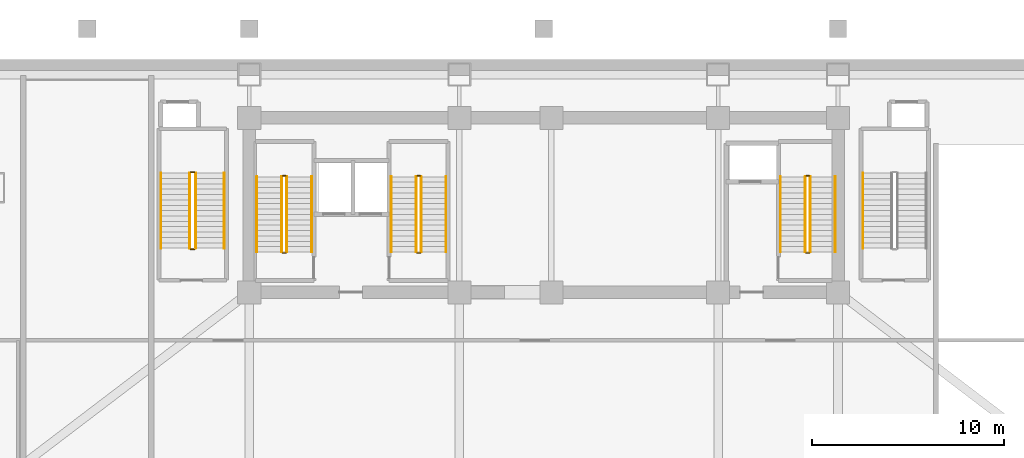
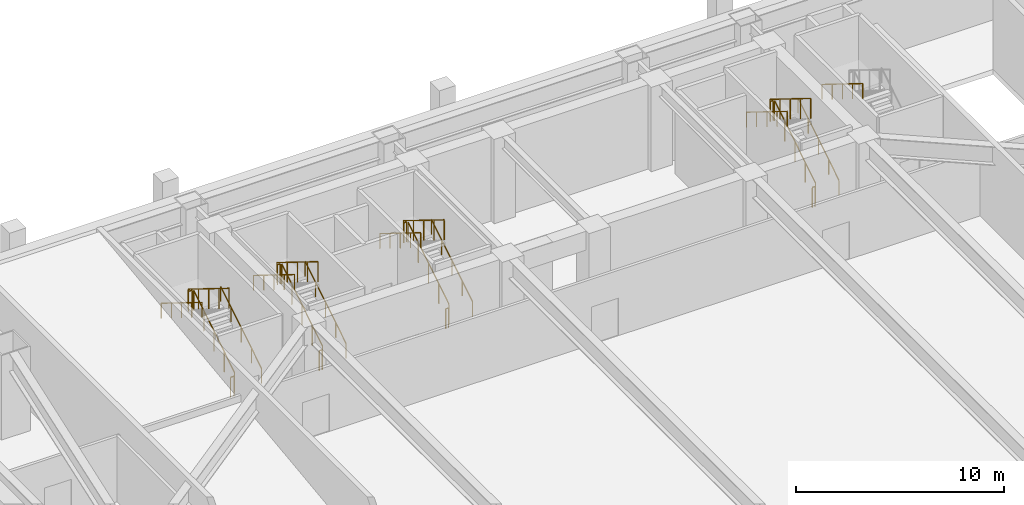
# One storey, part 5 of 6: 25 railings.
"""IFC4 building model written with IfcOpenShell, lengths in metres."""

from ifc_helpers import new_model, si_unit, direction, frame, origin, origin_2d, place, context, subcontext, project, spatial, rectangle, extrude, material, type_object, element, save


model = new_model("IFC4")

# Units and contexts
model_context = context("Model", 3, precision=1e-05, world=origin(), true_north=direction((0.0, 1.0)))
body_context = subcontext(model_context, "Body", "Model", "MODEL_VIEW")
ifc_project = project(units=[si_unit("LENGTHUNIT", "METRE"), si_unit("AREAUNIT", "SQUARE_METRE"), si_unit("VOLUMEUNIT", "CUBIC_METRE"), si_unit("PLANEANGLEUNIT", "RADIAN"), si_unit("MASSUNIT", "GRAM", prefix="KILO")], contexts=[model_context])

# Site, building, storey
site_placement = place(None, origin())
site = spatial("IfcSite", under=ifc_project, at=site_placement, CompositionType="ELEMENT")
building_placement = place(site_placement, origin())
building = spatial("IfcBuilding", under=site, at=building_placement, Name="Giltprow Tower", CompositionType="ELEMENT")
storey_placement = place(building_placement, frame((0.0, 0.0, -5.199951171875)))
storey = spatial("IfcBuildingStorey", under=building, at=storey_placement, Name="B01", CompositionType="ELEMENT", Elevation=-5.199951171875)

# Railings
ifc_material = material(Name="Anodized bronze", Category="metal")
railing_type_1 = type_object("IfcRailingType", Name="RAIL-STAIR-GUARD-1200", PredefinedType="GUARDRAIL", material=ifc_material)
railing_1_placement = place(storey_placement, frame((21.81005859375, 39.550048828125, 0.17333984375)))
element("IfcRailing", 1, at=railing_1_placement, inside=storey, type_object=railing_type_1, Name="B01 ST-1 stair guard 1", PredefinedType="GUARDRAIL", context=body_context, shape_type="SweptSolid", body=[
    extrude(rectangle(XDim=0.048095703125, YDim=0.048095703125, at=origin_2d()), frame((0.0, 0.0, 1.17578125), z_axis=(0.0, 0.850275303828, 0.526338206574), x_axis=(-1.0, 0.0, 0.0)), (0.0, 0.0, 1.0), 4.610107421875),
    extrude(rectangle(XDim=0.0419921875, YDim=0.0419921875, at=origin_2d()), origin(), (0.0, 0.0, 1.0), 1.15185546875),
    extrude(rectangle(XDim=0.0419921875, YDim=0.0419921875, at=origin_2d()), frame((0.0, 0.97998046875, 0.606689453125)), (0.0, 0.0, 1.0), 1.15185546875),
    extrude(rectangle(XDim=0.0419921875, YDim=0.0419921875, at=origin_2d()), frame((0.0, 1.9599609375, 1.21337890625)), (0.0, 0.0, 1.0), 1.15185546875),
    extrude(rectangle(XDim=0.0419921875, YDim=0.0419921875, at=origin_2d()), frame((0.0, 2.93994140625, 1.81982421875)), (0.0, 0.0, 1.0), 1.15185546875),
    extrude(rectangle(XDim=0.0419921875, YDim=0.0419921875, at=origin_2d()), frame((0.0, 3.919921875, 2.426513671875)), (0.0, 0.0, 1.0), 1.15185546875),
])
railing_2_placement = place(storey_placement, frame((21.760009765625, 43.52001953125, 2.599853515625)))
element("IfcRailing", 2, at=railing_2_placement, inside=storey, type_object=railing_type_1, Name="B01 ST-1 stair guard 2", PredefinedType="GUARDRAIL", context=body_context, shape_type="SweptSolid", body=[
    extrude(rectangle(XDim=0.048095703125, YDim=0.048095703125, at=origin_2d()), frame((0.0, 0.0, 1.17578125), z_axis=(-1.0, 0.0, 0.0), x_axis=(0.0, -1.0, 0.0)), (0.0, 0.0, 1.0), 0.159912109375),
    extrude(rectangle(XDim=0.0419921875, YDim=0.0419921875, at=origin_2d()), origin(), (0.0, 0.0, 1.0), 1.15185546875),
    extrude(rectangle(XDim=0.0419921875, YDim=0.0419921875, at=origin_2d()), frame((-0.159912109375, 0.0, 0.0)), (0.0, 0.0, 1.0), 1.15185546875),
])
railing_3_placement = place(storey_placement, frame((21.550048828125, 43.469970703125, 2.773193359375)))
element("IfcRailing", 3, at=railing_3_placement, inside=storey, type_object=railing_type_1, Name="B01 ST-1 stair guard 3", PredefinedType="GUARDRAIL", context=body_context, shape_type="SweptSolid", body=[
    extrude(rectangle(XDim=0.048095703125, YDim=0.048095703125, at=origin_2d()), frame((0.0, 0.0, 1.17578125), z_axis=(0.0, -0.850251603719, 0.526376491091), x_axis=(1.0, 0.0, 0.0)), (0.0, 0.0, 1.0), 4.6103515625),
    extrude(rectangle(XDim=0.0419921875, YDim=0.0419921875, at=origin_2d()), origin(), (0.0, 0.0, 1.0), 1.15185546875),
    extrude(rectangle(XDim=0.0419921875, YDim=0.0419921875, at=origin_2d()), frame((0.0, -0.97998046875, 0.606689453125)), (0.0, 0.0, 1.0), 1.15185546875),
    extrude(rectangle(XDim=0.0419921875, YDim=0.0419921875, at=origin_2d()), frame((0.0, -1.9599609375, 1.21337890625)), (0.0, 0.0, 1.0), 1.15185546875),
    extrude(rectangle(XDim=0.0419921875, YDim=0.0419921875, at=origin_2d()), frame((0.0, -2.93994140625, 1.820068359375)), (0.0, 0.0, 1.0), 1.15185546875),
    extrude(rectangle(XDim=0.0419921875, YDim=0.0419921875, at=origin_2d()), frame((0.0, -3.919921875, 2.4267578125)), (0.0, 0.0, 1.0), 1.15185546875),
])
railing_4_placement = place(storey_placement, frame((21.760009765625, 39.5, 0.0)))
element("IfcRailing", 4, at=railing_4_placement, inside=storey, type_object=railing_type_1, Name="B01 ST-1 stair guard 4", PredefinedType="GUARDRAIL", context=body_context, shape_type="SweptSolid", body=[
    extrude(rectangle(XDim=0.048095703125, YDim=0.048095703125, at=origin_2d()), frame((0.0, 0.0, 1.17578125), z_axis=(-1.0, 0.0, 0.0), x_axis=(0.0, -1.0, 0.0)), (0.0, 0.0, 1.0), 0.159912109375),
    extrude(rectangle(XDim=0.0419921875, YDim=0.0419921875, at=origin_2d()), origin(), (0.0, 0.0, 1.0), 1.15185546875),
    extrude(rectangle(XDim=0.0419921875, YDim=0.0419921875, at=origin_2d()), frame((-0.159912109375, 0.0, 0.0)), (0.0, 0.0, 1.0), 1.15185546875),
])
railing_5_placement = place(storey_placement, frame((28.81005859375, 39.550048828125, 0.17333984375)))
element("IfcRailing", 5, at=railing_5_placement, inside=storey, type_object=railing_type_1, Name="B01 ST-2 stair guard 1", PredefinedType="GUARDRAIL", context=body_context, shape_type="SweptSolid", body=[
    extrude(rectangle(XDim=0.048095703125, YDim=0.048095703125, at=origin_2d()), frame((0.0, 0.0, 1.17578125), z_axis=(0.0, 0.850275303828, 0.526338206574), x_axis=(-1.0, 0.0, 0.0)), (0.0, 0.0, 1.0), 4.610107421875),
    extrude(rectangle(XDim=0.0419921875, YDim=0.0419921875, at=origin_2d()), origin(), (0.0, 0.0, 1.0), 1.15185546875),
    extrude(rectangle(XDim=0.0419921875, YDim=0.0419921875, at=origin_2d()), frame((0.0, 0.97998046875, 0.606689453125)), (0.0, 0.0, 1.0), 1.15185546875),
    extrude(rectangle(XDim=0.0419921875, YDim=0.0419921875, at=origin_2d()), frame((0.0, 1.9599609375, 1.21337890625)), (0.0, 0.0, 1.0), 1.15185546875),
    extrude(rectangle(XDim=0.0419921875, YDim=0.0419921875, at=origin_2d()), frame((0.0, 2.93994140625, 1.81982421875)), (0.0, 0.0, 1.0), 1.15185546875),
    extrude(rectangle(XDim=0.0419921875, YDim=0.0419921875, at=origin_2d()), frame((0.0, 3.919921875, 2.426513671875)), (0.0, 0.0, 1.0), 1.15185546875),
])
railing_6_placement = place(storey_placement, frame((28.760009765625, 43.52001953125, 2.599853515625)))
element("IfcRailing", 6, at=railing_6_placement, inside=storey, type_object=railing_type_1, Name="B01 ST-2 stair guard 2", PredefinedType="GUARDRAIL", context=body_context, shape_type="SweptSolid", body=[
    extrude(rectangle(XDim=0.048095703125, YDim=0.048095703125, at=origin_2d()), frame((0.0, 0.0, 1.17578125), z_axis=(-1.0, 0.0, 0.0), x_axis=(0.0, -1.0, 0.0)), (0.0, 0.0, 1.0), 0.159912109375),
    extrude(rectangle(XDim=0.0419921875, YDim=0.0419921875, at=origin_2d()), origin(), (0.0, 0.0, 1.0), 1.15185546875),
    extrude(rectangle(XDim=0.0419921875, YDim=0.0419921875, at=origin_2d()), frame((-0.159912109375, 0.0, 0.0)), (0.0, 0.0, 1.0), 1.15185546875),
])
railing_7_placement = place(storey_placement, frame((28.550048828125, 43.469970703125, 2.773193359375)))
element("IfcRailing", 7, at=railing_7_placement, inside=storey, type_object=railing_type_1, Name="B01 ST-2 stair guard 3", PredefinedType="GUARDRAIL", context=body_context, shape_type="SweptSolid", body=[
    extrude(rectangle(XDim=0.048095703125, YDim=0.048095703125, at=origin_2d()), frame((0.0, 0.0, 1.17578125), z_axis=(0.0, -0.850251603719, 0.526376491091), x_axis=(1.0, 0.0, 0.0)), (0.0, 0.0, 1.0), 4.6103515625),
    extrude(rectangle(XDim=0.0419921875, YDim=0.0419921875, at=origin_2d()), origin(), (0.0, 0.0, 1.0), 1.15185546875),
    extrude(rectangle(XDim=0.0419921875, YDim=0.0419921875, at=origin_2d()), frame((0.0, -0.97998046875, 0.606689453125)), (0.0, 0.0, 1.0), 1.15185546875),
    extrude(rectangle(XDim=0.0419921875, YDim=0.0419921875, at=origin_2d()), frame((0.0, -1.9599609375, 1.21337890625)), (0.0, 0.0, 1.0), 1.15185546875),
    extrude(rectangle(XDim=0.0419921875, YDim=0.0419921875, at=origin_2d()), frame((0.0, -2.93994140625, 1.820068359375)), (0.0, 0.0, 1.0), 1.15185546875),
    extrude(rectangle(XDim=0.0419921875, YDim=0.0419921875, at=origin_2d()), frame((0.0, -3.919921875, 2.4267578125)), (0.0, 0.0, 1.0), 1.15185546875),
])
railing_8_placement = place(storey_placement, frame((28.760009765625, 39.5, 0.0)))
element("IfcRailing", 8, at=railing_8_placement, inside=storey, type_object=railing_type_1, Name="B01 ST-2 stair guard 4", PredefinedType="GUARDRAIL", context=body_context, shape_type="SweptSolid", body=[
    extrude(rectangle(XDim=0.048095703125, YDim=0.048095703125, at=origin_2d()), frame((0.0, 0.0, 1.17578125), z_axis=(-1.0, 0.0, 0.0), x_axis=(0.0, -1.0, 0.0)), (0.0, 0.0, 1.0), 0.159912109375),
    extrude(rectangle(XDim=0.0419921875, YDim=0.0419921875, at=origin_2d()), origin(), (0.0, 0.0, 1.0), 1.15185546875),
    extrude(rectangle(XDim=0.0419921875, YDim=0.0419921875, at=origin_2d()), frame((-0.159912109375, 0.0, 0.0)), (0.0, 0.0, 1.0), 1.15185546875),
])
railing_9_placement = place(storey_placement, frame((49.110107421875, 39.550048828125, 0.17333984375)))
element("IfcRailing", 9, at=railing_9_placement, inside=storey, type_object=railing_type_1, Name="B01 ST-3 stair guard 1", PredefinedType="GUARDRAIL", context=body_context, shape_type="SweptSolid", body=[
    extrude(rectangle(XDim=0.048095703125, YDim=0.048095703125, at=origin_2d()), frame((0.0, 0.0, 1.17578125), z_axis=(0.0, 0.850275303828, 0.526338206574), x_axis=(-1.0, 0.0, 0.0)), (0.0, 0.0, 1.0), 4.610107421875),
    extrude(rectangle(XDim=0.0419921875, YDim=0.0419921875, at=origin_2d()), origin(), (0.0, 0.0, 1.0), 1.15185546875),
    extrude(rectangle(XDim=0.0419921875, YDim=0.0419921875, at=origin_2d()), frame((0.0, 0.97998046875, 0.606689453125)), (0.0, 0.0, 1.0), 1.15185546875),
    extrude(rectangle(XDim=0.0419921875, YDim=0.0419921875, at=origin_2d()), frame((0.0, 1.9599609375, 1.21337890625)), (0.0, 0.0, 1.0), 1.15185546875),
    extrude(rectangle(XDim=0.0419921875, YDim=0.0419921875, at=origin_2d()), frame((0.0, 2.93994140625, 1.81982421875)), (0.0, 0.0, 1.0), 1.15185546875),
    extrude(rectangle(XDim=0.0419921875, YDim=0.0419921875, at=origin_2d()), frame((0.0, 3.919921875, 2.426513671875)), (0.0, 0.0, 1.0), 1.15185546875),
])
railing_10_placement = place(storey_placement, frame((49.06005859375, 43.52001953125, 2.599853515625)))
element("IfcRailing", 10, at=railing_10_placement, inside=storey, type_object=railing_type_1, Name="B01 ST-3 stair guard 2", PredefinedType="GUARDRAIL", context=body_context, shape_type="SweptSolid", body=[
    extrude(rectangle(XDim=0.048095703125, YDim=0.048095703125, at=origin_2d()), frame((0.0, 0.0, 1.17578125), z_axis=(-1.0, 0.0, 0.0), x_axis=(0.0, -1.0, 0.0)), (0.0, 0.0, 1.0), 0.16015625),
    extrude(rectangle(XDim=0.0419921875, YDim=0.0419921875, at=origin_2d()), origin(), (0.0, 0.0, 1.0), 1.15185546875),
    extrude(rectangle(XDim=0.0419921875, YDim=0.0419921875, at=origin_2d()), frame((-0.16015625, 0.0, 0.0)), (0.0, 0.0, 1.0), 1.15185546875),
])
railing_11_placement = place(storey_placement, frame((48.85009765625, 43.469970703125, 2.773193359375)))
element("IfcRailing", 11, at=railing_11_placement, inside=storey, type_object=railing_type_1, Name="B01 ST-3 stair guard 3", PredefinedType="GUARDRAIL", context=body_context, shape_type="SweptSolid", body=[
    extrude(rectangle(XDim=0.048095703125, YDim=0.048095703125, at=origin_2d()), frame((0.0, 0.0, 1.17578125), z_axis=(0.0, -0.850251603719, 0.526376491091), x_axis=(1.0, 0.0, 0.0)), (0.0, 0.0, 1.0), 4.6103515625),
    extrude(rectangle(XDim=0.0419921875, YDim=0.0419921875, at=origin_2d()), origin(), (0.0, 0.0, 1.0), 1.15185546875),
    extrude(rectangle(XDim=0.0419921875, YDim=0.0419921875, at=origin_2d()), frame((0.0, -0.97998046875, 0.606689453125)), (0.0, 0.0, 1.0), 1.15185546875),
    extrude(rectangle(XDim=0.0419921875, YDim=0.0419921875, at=origin_2d()), frame((0.0, -1.9599609375, 1.21337890625)), (0.0, 0.0, 1.0), 1.15185546875),
    extrude(rectangle(XDim=0.0419921875, YDim=0.0419921875, at=origin_2d()), frame((0.0, -2.93994140625, 1.820068359375)), (0.0, 0.0, 1.0), 1.15185546875),
    extrude(rectangle(XDim=0.0419921875, YDim=0.0419921875, at=origin_2d()), frame((0.0, -3.919921875, 2.4267578125)), (0.0, 0.0, 1.0), 1.15185546875),
])
railing_12_placement = place(storey_placement, frame((49.06005859375, 39.5, 0.0)))
element("IfcRailing", 12, at=railing_12_placement, inside=storey, type_object=railing_type_1, Name="B01 ST-3 stair guard 4", PredefinedType="GUARDRAIL", context=body_context, shape_type="SweptSolid", body=[
    extrude(rectangle(XDim=0.048095703125, YDim=0.048095703125, at=origin_2d()), frame((0.0, 0.0, 1.17578125), z_axis=(-1.0, 0.0, 0.0), x_axis=(0.0, -1.0, 0.0)), (0.0, 0.0, 1.0), 0.16015625),
    extrude(rectangle(XDim=0.0419921875, YDim=0.0419921875, at=origin_2d()), origin(), (0.0, 0.0, 1.0), 1.15185546875),
    extrude(rectangle(XDim=0.0419921875, YDim=0.0419921875, at=origin_2d()), frame((-0.16015625, 0.0, 0.0)), (0.0, 0.0, 1.0), 1.15185546875),
])
railing_13_placement = place(storey_placement, frame((17.050048828125, 39.75, 0.17333984375)))
element("IfcRailing", 13, at=railing_13_placement, inside=storey, type_object=railing_type_1, Name="B01 ST-P1 stair guard 1", PredefinedType="GUARDRAIL", context=body_context, shape_type="SweptSolid", body=[
    extrude(rectangle(XDim=0.048095703125, YDim=0.048095703125, at=origin_2d()), frame((0.0, 0.0, 1.17578125), z_axis=(0.0, 0.850275303828, 0.526338206574), x_axis=(-1.0, 0.0, 0.0)), (0.0, 0.0, 1.0), 4.610107421875),
    extrude(rectangle(XDim=0.0419921875, YDim=0.0419921875, at=origin_2d()), origin(), (0.0, 0.0, 1.0), 1.15185546875),
    extrude(rectangle(XDim=0.0419921875, YDim=0.0419921875, at=origin_2d()), frame((0.0, 0.97998046875, 0.606689453125)), (0.0, 0.0, 1.0), 1.15185546875),
    extrude(rectangle(XDim=0.0419921875, YDim=0.0419921875, at=origin_2d()), frame((0.0, 1.9599609375, 1.21337890625)), (0.0, 0.0, 1.0), 1.15185546875),
    extrude(rectangle(XDim=0.0419921875, YDim=0.0419921875, at=origin_2d()), frame((0.0, 2.93994140625, 1.81982421875)), (0.0, 0.0, 1.0), 1.15185546875),
    extrude(rectangle(XDim=0.0419921875, YDim=0.0419921875, at=origin_2d()), frame((0.0, 3.919921875, 2.426513671875)), (0.0, 0.0, 1.0), 1.15185546875),
])
railing_14_placement = place(storey_placement, frame((17.0, 43.719970703125, 2.599853515625)))
element("IfcRailing", 14, at=railing_14_placement, inside=storey, type_object=railing_type_1, Name="B01 ST-P1 stair guard 2", PredefinedType="GUARDRAIL", context=body_context, shape_type="SweptSolid", body=[
    extrude(rectangle(XDim=0.048095703125, YDim=0.048095703125, at=origin_2d()), frame((0.0, 0.0, 1.17578125), z_axis=(-1.0, 0.0, 0.0), x_axis=(0.0, -1.0, 0.0)), (0.0, 0.0, 1.0), 0.199951171875),
    extrude(rectangle(XDim=0.0419921875, YDim=0.0419921875, at=origin_2d()), origin(), (0.0, 0.0, 1.0), 1.15185546875),
    extrude(rectangle(XDim=0.0419921875, YDim=0.0419921875, at=origin_2d()), frame((-0.199951171875, 0.0, 0.0)), (0.0, 0.0, 1.0), 1.15185546875),
])
railing_15_placement = place(storey_placement, frame((16.75, 43.669921875, 2.773193359375)))
element("IfcRailing", 15, at=railing_15_placement, inside=storey, type_object=railing_type_1, Name="B01 ST-P1 stair guard 3", PredefinedType="GUARDRAIL", context=body_context, shape_type="SweptSolid", body=[
    extrude(rectangle(XDim=0.048095703125, YDim=0.048095703125, at=origin_2d()), frame((0.0, 0.0, 1.17578125), z_axis=(0.0, -0.850251603719, 0.526376491091), x_axis=(1.0, 0.0, 0.0)), (0.0, 0.0, 1.0), 4.6103515625),
    extrude(rectangle(XDim=0.0419921875, YDim=0.0419921875, at=origin_2d()), origin(), (0.0, 0.0, 1.0), 1.15185546875),
    extrude(rectangle(XDim=0.0419921875, YDim=0.0419921875, at=origin_2d()), frame((0.0, -0.97998046875, 0.606689453125)), (0.0, 0.0, 1.0), 1.15185546875),
    extrude(rectangle(XDim=0.0419921875, YDim=0.0419921875, at=origin_2d()), frame((0.0, -1.9599609375, 1.21337890625)), (0.0, 0.0, 1.0), 1.15185546875),
    extrude(rectangle(XDim=0.0419921875, YDim=0.0419921875, at=origin_2d()), frame((0.0, -2.93994140625, 1.820068359375)), (0.0, 0.0, 1.0), 1.15185546875),
    extrude(rectangle(XDim=0.0419921875, YDim=0.0419921875, at=origin_2d()), frame((0.0, -3.919921875, 2.4267578125)), (0.0, 0.0, 1.0), 1.15185546875),
])
railing_16_placement = place(storey_placement, frame((17.0, 39.699951171875, 0.0)))
element("IfcRailing", 16, at=railing_16_placement, inside=storey, type_object=railing_type_1, Name="B01 ST-P1 stair guard 4", PredefinedType="GUARDRAIL", context=body_context, shape_type="SweptSolid", body=[
    extrude(rectangle(XDim=0.048095703125, YDim=0.048095703125, at=origin_2d()), frame((0.0, 0.0, 1.17578125), z_axis=(-1.0, 0.0, 0.0), x_axis=(0.0, -1.0, 0.0)), (0.0, 0.0, 1.0), 0.199951171875),
    extrude(rectangle(XDim=0.0419921875, YDim=0.0419921875, at=origin_2d()), origin(), (0.0, 0.0, 1.0), 1.15185546875),
    extrude(rectangle(XDim=0.0419921875, YDim=0.0419921875, at=origin_2d()), frame((-0.199951171875, 0.0, 0.0)), (0.0, 0.0, 1.0), 1.15185546875),
])
railing_type_2 = type_object("IfcRailingType", Name="RAIL-STAIR-HAND-900", PredefinedType="HANDRAIL", material=ifc_material)
railing_17_placement = place(storey_placement, frame((23.110107421875, 39.550048828125, 0.17333984375)))
element("IfcRailing", 17, at=railing_17_placement, inside=storey, type_object=railing_type_2, Name="B01 ST-1 stair handrail 1", PredefinedType="HANDRAIL", context=body_context, shape_type="SweptSolid", body=[
    extrude(rectangle(XDim=0.048095703125, YDim=0.048095703125, at=origin_2d()), frame((0.0, 0.0, 0.8759765625), z_axis=(0.0, 0.850275303828, 0.526338206574), x_axis=(-1.0, 0.0, 0.0)), (0.0, 0.0, 1.0), 4.610107421875),
    extrude(rectangle(XDim=0.0419921875, YDim=0.0419921875, at=origin_2d()), origin(), (0.0, 0.0, 1.0), 0.851806640625),
    extrude(rectangle(XDim=0.0419921875, YDim=0.0419921875, at=origin_2d()), frame((0.0, 0.97998046875, 0.606689453125)), (0.0, 0.0, 1.0), 0.851806640625),
    extrude(rectangle(XDim=0.0419921875, YDim=0.0419921875, at=origin_2d()), frame((0.0, 1.9599609375, 1.21337890625)), (0.0, 0.0, 1.0), 0.851806640625),
    extrude(rectangle(XDim=0.0419921875, YDim=0.0419921875, at=origin_2d()), frame((0.0, 2.93994140625, 1.81982421875)), (0.0, 0.0, 1.0), 0.851806640625),
    extrude(rectangle(XDim=0.0419921875, YDim=0.0419921875, at=origin_2d()), frame((0.0, 3.919921875, 2.426513671875)), (0.0, 0.0, 1.0), 0.851806640625),
])
railing_18_placement = place(storey_placement, frame((20.25, 43.469970703125, 2.773193359375)))
element("IfcRailing", 18, at=railing_18_placement, inside=storey, type_object=railing_type_2, Name="B01 ST-1 stair handrail 2", PredefinedType="HANDRAIL", context=body_context, shape_type="SweptSolid", body=[
    extrude(rectangle(XDim=0.048095703125, YDim=0.048095703125, at=origin_2d()), frame((0.0, 0.0, 0.8759765625), z_axis=(0.0, -0.850251603719, 0.526376491091), x_axis=(1.0, 0.0, 0.0)), (0.0, 0.0, 1.0), 4.6103515625),
    extrude(rectangle(XDim=0.0419921875, YDim=0.0419921875, at=origin_2d()), origin(), (0.0, 0.0, 1.0), 0.851806640625),
    extrude(rectangle(XDim=0.0419921875, YDim=0.0419921875, at=origin_2d()), frame((0.0, -0.97998046875, 0.606689453125)), (0.0, 0.0, 1.0), 0.851806640625),
    extrude(rectangle(XDim=0.0419921875, YDim=0.0419921875, at=origin_2d()), frame((0.0, -1.9599609375, 1.21337890625)), (0.0, 0.0, 1.0), 0.851806640625),
    extrude(rectangle(XDim=0.0419921875, YDim=0.0419921875, at=origin_2d()), frame((0.0, -2.93994140625, 1.820068359375)), (0.0, 0.0, 1.0), 0.851806640625),
    extrude(rectangle(XDim=0.0419921875, YDim=0.0419921875, at=origin_2d()), frame((0.0, -3.919921875, 2.4267578125)), (0.0, 0.0, 1.0), 0.851806640625),
])
railing_19_placement = place(storey_placement, frame((30.110107421875, 39.550048828125, 0.17333984375)))
element("IfcRailing", 19, at=railing_19_placement, inside=storey, type_object=railing_type_2, Name="B01 ST-2 stair handrail 1", PredefinedType="HANDRAIL", context=body_context, shape_type="SweptSolid", body=[
    extrude(rectangle(XDim=0.048095703125, YDim=0.048095703125, at=origin_2d()), frame((0.0, 0.0, 0.8759765625), z_axis=(0.0, 0.850275303828, 0.526338206574), x_axis=(-1.0, 0.0, 0.0)), (0.0, 0.0, 1.0), 4.610107421875),
    extrude(rectangle(XDim=0.0419921875, YDim=0.0419921875, at=origin_2d()), origin(), (0.0, 0.0, 1.0), 0.851806640625),
    extrude(rectangle(XDim=0.0419921875, YDim=0.0419921875, at=origin_2d()), frame((0.0, 0.97998046875, 0.606689453125)), (0.0, 0.0, 1.0), 0.851806640625),
    extrude(rectangle(XDim=0.0419921875, YDim=0.0419921875, at=origin_2d()), frame((0.0, 1.9599609375, 1.21337890625)), (0.0, 0.0, 1.0), 0.851806640625),
    extrude(rectangle(XDim=0.0419921875, YDim=0.0419921875, at=origin_2d()), frame((0.0, 2.93994140625, 1.81982421875)), (0.0, 0.0, 1.0), 0.851806640625),
    extrude(rectangle(XDim=0.0419921875, YDim=0.0419921875, at=origin_2d()), frame((0.0, 3.919921875, 2.426513671875)), (0.0, 0.0, 1.0), 0.851806640625),
])
railing_20_placement = place(storey_placement, frame((27.25, 43.469970703125, 2.773193359375)))
element("IfcRailing", 20, at=railing_20_placement, inside=storey, type_object=railing_type_2, Name="B01 ST-2 stair handrail 2", PredefinedType="HANDRAIL", context=body_context, shape_type="SweptSolid", body=[
    extrude(rectangle(XDim=0.048095703125, YDim=0.048095703125, at=origin_2d()), frame((0.0, 0.0, 0.8759765625), z_axis=(0.0, -0.850251603719, 0.526376491091), x_axis=(1.0, 0.0, 0.0)), (0.0, 0.0, 1.0), 4.6103515625),
    extrude(rectangle(XDim=0.0419921875, YDim=0.0419921875, at=origin_2d()), origin(), (0.0, 0.0, 1.0), 0.851806640625),
    extrude(rectangle(XDim=0.0419921875, YDim=0.0419921875, at=origin_2d()), frame((0.0, -0.97998046875, 0.606689453125)), (0.0, 0.0, 1.0), 0.851806640625),
    extrude(rectangle(XDim=0.0419921875, YDim=0.0419921875, at=origin_2d()), frame((0.0, -1.9599609375, 1.21337890625)), (0.0, 0.0, 1.0), 0.851806640625),
    extrude(rectangle(XDim=0.0419921875, YDim=0.0419921875, at=origin_2d()), frame((0.0, -2.93994140625, 1.820068359375)), (0.0, 0.0, 1.0), 0.851806640625),
    extrude(rectangle(XDim=0.0419921875, YDim=0.0419921875, at=origin_2d()), frame((0.0, -3.919921875, 2.4267578125)), (0.0, 0.0, 1.0), 0.851806640625),
])
railing_21_placement = place(storey_placement, frame((50.409912109375, 39.550048828125, 0.17333984375)))
element("IfcRailing", 21, at=railing_21_placement, inside=storey, type_object=railing_type_2, Name="B01 ST-3 stair handrail 1", PredefinedType="HANDRAIL", context=body_context, shape_type="SweptSolid", body=[
    extrude(rectangle(XDim=0.048095703125, YDim=0.048095703125, at=origin_2d()), frame((0.0, 0.0, 0.8759765625), z_axis=(0.0, 0.850275303828, 0.526338206574), x_axis=(-1.0, 0.0, 0.0)), (0.0, 0.0, 1.0), 4.610107421875),
    extrude(rectangle(XDim=0.0419921875, YDim=0.0419921875, at=origin_2d()), origin(), (0.0, 0.0, 1.0), 0.851806640625),
    extrude(rectangle(XDim=0.0419921875, YDim=0.0419921875, at=origin_2d()), frame((0.0, 0.97998046875, 0.606689453125)), (0.0, 0.0, 1.0), 0.851806640625),
    extrude(rectangle(XDim=0.0419921875, YDim=0.0419921875, at=origin_2d()), frame((0.0, 1.9599609375, 1.21337890625)), (0.0, 0.0, 1.0), 0.851806640625),
    extrude(rectangle(XDim=0.0419921875, YDim=0.0419921875, at=origin_2d()), frame((0.0, 2.93994140625, 1.81982421875)), (0.0, 0.0, 1.0), 0.851806640625),
    extrude(rectangle(XDim=0.0419921875, YDim=0.0419921875, at=origin_2d()), frame((0.0, 3.919921875, 2.426513671875)), (0.0, 0.0, 1.0), 0.851806640625),
])
railing_22_placement = place(storey_placement, frame((47.550048828125, 43.469970703125, 2.773193359375)))
element("IfcRailing", 22, at=railing_22_placement, inside=storey, type_object=railing_type_2, Name="B01 ST-3 stair handrail 2", PredefinedType="HANDRAIL", context=body_context, shape_type="SweptSolid", body=[
    extrude(rectangle(XDim=0.048095703125, YDim=0.048095703125, at=origin_2d()), frame((0.0, 0.0, 0.8759765625), z_axis=(0.0, -0.850251603719, 0.526376491091), x_axis=(1.0, 0.0, 0.0)), (0.0, 0.0, 1.0), 4.6103515625),
    extrude(rectangle(XDim=0.0419921875, YDim=0.0419921875, at=origin_2d()), origin(), (0.0, 0.0, 1.0), 0.851806640625),
    extrude(rectangle(XDim=0.0419921875, YDim=0.0419921875, at=origin_2d()), frame((0.0, -0.97998046875, 0.606689453125)), (0.0, 0.0, 1.0), 0.851806640625),
    extrude(rectangle(XDim=0.0419921875, YDim=0.0419921875, at=origin_2d()), frame((0.0, -1.9599609375, 1.21337890625)), (0.0, 0.0, 1.0), 0.851806640625),
    extrude(rectangle(XDim=0.0419921875, YDim=0.0419921875, at=origin_2d()), frame((0.0, -2.93994140625, 1.820068359375)), (0.0, 0.0, 1.0), 0.851806640625),
    extrude(rectangle(XDim=0.0419921875, YDim=0.0419921875, at=origin_2d()), frame((0.0, -3.919921875, 2.4267578125)), (0.0, 0.0, 1.0), 0.851806640625),
])
railing_23_placement = place(storey_placement, frame((18.550048828125, 39.75, 0.17333984375)))
element("IfcRailing", 23, at=railing_23_placement, inside=storey, type_object=railing_type_2, Name="B01 ST-P1 stair handrail 1", PredefinedType="HANDRAIL", context=body_context, shape_type="SweptSolid", body=[
    extrude(rectangle(XDim=0.048095703125, YDim=0.048095703125, at=origin_2d()), frame((0.0, 0.0, 0.8759765625), z_axis=(0.0, 0.850275303828, 0.526338206574), x_axis=(-1.0, 0.0, 0.0)), (0.0, 0.0, 1.0), 4.610107421875),
    extrude(rectangle(XDim=0.0419921875, YDim=0.0419921875, at=origin_2d()), origin(), (0.0, 0.0, 1.0), 0.851806640625),
    extrude(rectangle(XDim=0.0419921875, YDim=0.0419921875, at=origin_2d()), frame((0.0, 0.97998046875, 0.606689453125)), (0.0, 0.0, 1.0), 0.851806640625),
    extrude(rectangle(XDim=0.0419921875, YDim=0.0419921875, at=origin_2d()), frame((0.0, 1.9599609375, 1.21337890625)), (0.0, 0.0, 1.0), 0.851806640625),
    extrude(rectangle(XDim=0.0419921875, YDim=0.0419921875, at=origin_2d()), frame((0.0, 2.93994140625, 1.81982421875)), (0.0, 0.0, 1.0), 0.851806640625),
    extrude(rectangle(XDim=0.0419921875, YDim=0.0419921875, at=origin_2d()), frame((0.0, 3.919921875, 2.426513671875)), (0.0, 0.0, 1.0), 0.851806640625),
])
for number, where, name in (
    (24, (15.25, 43.669921875, 2.773193359375), "B01 ST-P1 stair handrail 2"),
    (25, (51.85009765625, 43.669921875, 2.773193359375), "B01 ST-P2 stair handrail 2"),
):
    element("IfcRailing", number, at=place(storey_placement, frame(where)), inside=storey, type_object=railing_type_2, Name=name, PredefinedType="HANDRAIL", context=body_context, shape_type="SweptSolid", body=[
        extrude(rectangle(XDim=0.048095703125, YDim=0.048095703125, at=origin_2d()), frame((0.0, 0.0, 0.8759765625), z_axis=(0.0, -0.850251603719, 0.526376491091), x_axis=(1.0, 0.0, 0.0)), (0.0, 0.0, 1.0), 4.6103515625),
        extrude(rectangle(XDim=0.0419921875, YDim=0.0419921875, at=origin_2d()), origin(), (0.0, 0.0, 1.0), 0.851806640625),
        extrude(rectangle(XDim=0.0419921875, YDim=0.0419921875, at=origin_2d()), frame((0.0, -0.97998046875, 0.606689453125)), (0.0, 0.0, 1.0), 0.851806640625),
        extrude(rectangle(XDim=0.0419921875, YDim=0.0419921875, at=origin_2d()), frame((0.0, -1.9599609375, 1.21337890625)), (0.0, 0.0, 1.0), 0.851806640625),
        extrude(rectangle(XDim=0.0419921875, YDim=0.0419921875, at=origin_2d()), frame((0.0, -2.93994140625, 1.820068359375)), (0.0, 0.0, 1.0), 0.851806640625),
        extrude(rectangle(XDim=0.0419921875, YDim=0.0419921875, at=origin_2d()), frame((0.0, -3.919921875, 2.4267578125)), (0.0, 0.0, 1.0), 0.851806640625),
    ])

save(model, "model.ifc")
